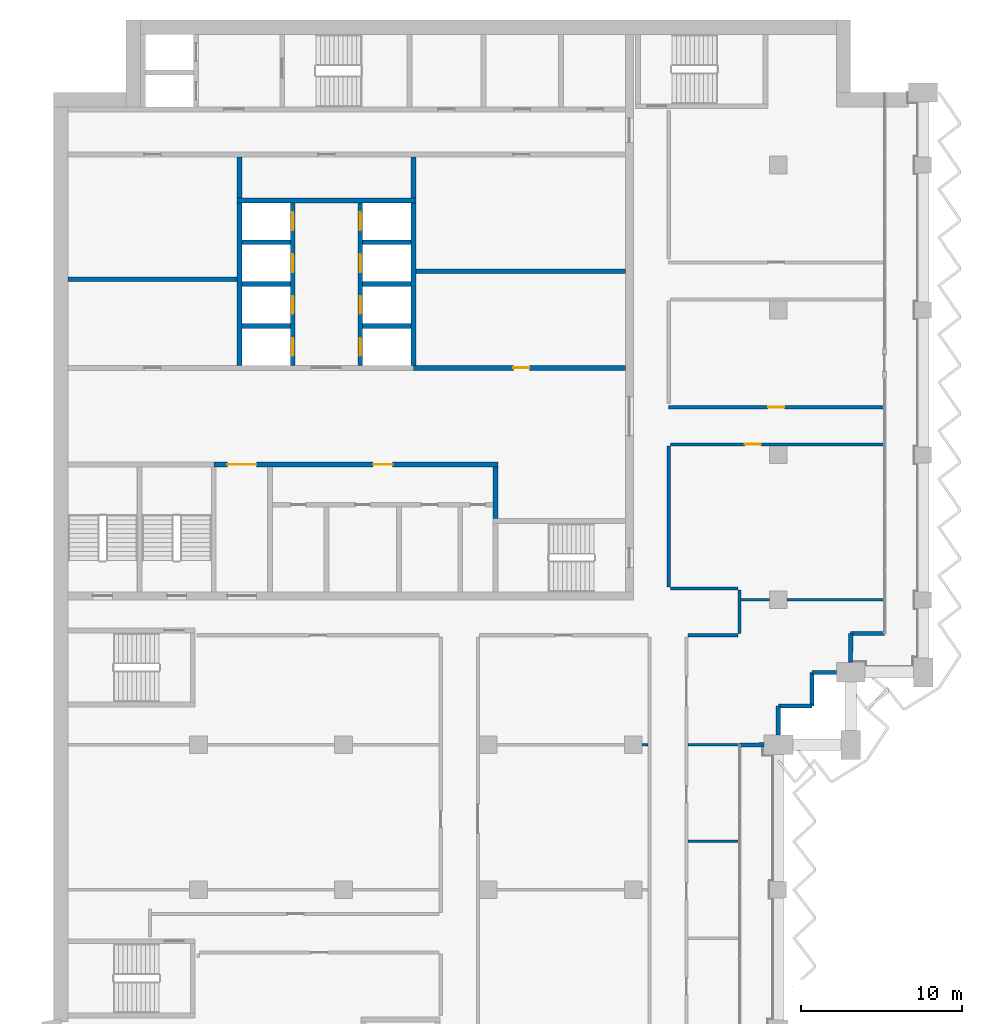
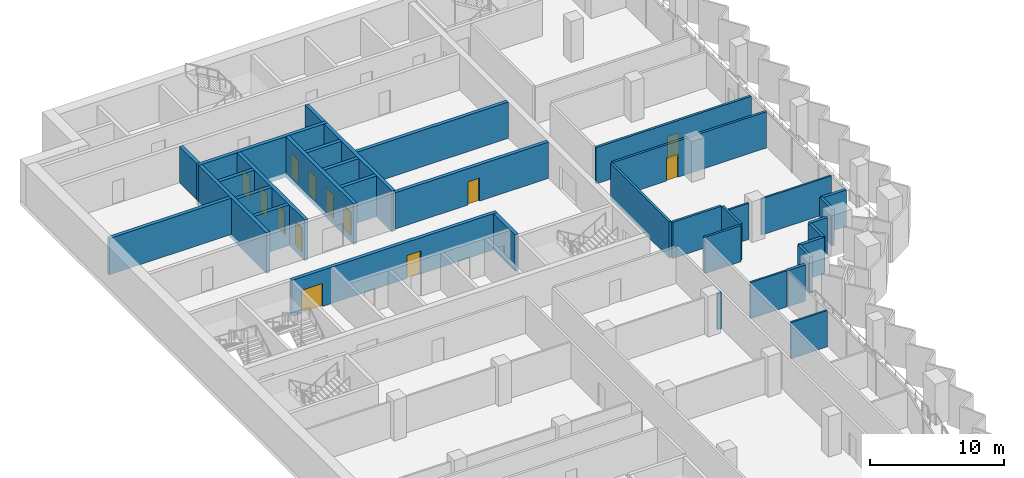
# One storey, part 9 of 17: 36 walls, 13 doors, 13 openings.
"""IFC4 building model written with IfcOpenShell, lengths in metres."""

from ifc_helpers import new_model, si_unit, direction, frame, frame_2d, origin, place, context, subcontext, project, spatial, rectangle, extrude, material, layer, layer_set, type_object, element, fill, save


model = new_model("IFC4")

# Units and contexts
model_context = context("Model", 3, precision=1e-05, world=origin(), true_north=direction((0.0, 1.0)))
body_context = subcontext(model_context, "Body", "Model", "MODEL_VIEW")
ifc_project = project(units=[si_unit("LENGTHUNIT", "METRE"), si_unit("AREAUNIT", "SQUARE_METRE"), si_unit("VOLUMEUNIT", "CUBIC_METRE"), si_unit("PLANEANGLEUNIT", "RADIAN"), si_unit("MASSUNIT", "GRAM", prefix="KILO")], contexts=[model_context])

# Site, building, storey
site_placement = place(None, origin())
site = spatial("IfcSite", under=ifc_project, at=site_placement, CompositionType="ELEMENT")
building_placement = place(site_placement, origin())
building = spatial("IfcBuilding", under=site, at=building_placement, Name="Hunhe Ridgeline Campus", CompositionType="ELEMENT")
storey_placement = place(building_placement, frame((0.0, 0.0, 193.89990234375)))
storey = spatial("IfcBuildingStorey", under=building, at=storey_placement, Name="L49", CompositionType="ELEMENT", Elevation=193.89990234375)

# Wall, openings, doors
ifc_material_1 = material(Name="Masonry concrete blockwork", Category="masonry")
ifc_layer_1 = layer(ifc_material_1, 0.300048828125)
ifc_layer_set_1 = layer_set([ifc_layer_1], Name="Core room partition 300 concrete block")
wall_type_1 = type_object("IfcWallType", Name="Core room partition 300 concrete block", PredefinedType="PARTITIONING", material=ifc_layer_set_1)
wall_1_placement = place(storey_placement, frame((9.949951171875, 71.39990234375, 0.0), z_axis=(0.0, 0.0, 1.0), x_axis=(1.0, 0.0, 0.0)))
wall_1 = element("IfcWall", 1, at=wall_1_placement, inside=storey, type_object=wall_type_1, Name="L49 core partition 11", PredefinedType="PARTITIONING", context=body_context, shape_type="SweptSolid", body=[
    extrude(rectangle(XDim=17.650146484375, YDim=0.300048828125, at=frame_2d((8.8251953125, 0.0))), origin(), (0.0, 0.0, 1.0), 3.300048828125),
])
opening_1_placement = place(wall_1_placement, frame((0.85009765625, 0.0, 0.0)))
opening_1 = element("IfcOpeningElement", 2, at=opening_1_placement, cuts=wall_1, Name="Opening CD7", PredefinedType="OPENING", context=body_context, shape_type="SweptSolid", body=[
    extrude(rectangle(XDim=1.800048828125, YDim=2.10009765625, at=frame_2d((0.89990234375, 1.050048828125))), frame((0.0, 0.14990234375, 0.0), z_axis=(0.0, -1.0, 0.0), x_axis=(1.0, 0.0, 0.0)), (0.0, 0.0, 1.0), 0.300048828125),
])
opening_2_placement = place(wall_1_placement, frame((9.89990234375, 0.0, 0.0)))
opening_2 = element("IfcOpeningElement", 3, at=opening_2_placement, cuts=wall_1, Name="Opening CD12", PredefinedType="OPENING", context=body_context, shape_type="SweptSolid", body=[
    extrude(rectangle(XDim=1.199951171875, YDim=2.10009765625, at=frame_2d((0.60009765625, 1.050048828125))), frame((0.0, 0.14990234375, 0.0), z_axis=(0.0, -1.0, 0.0), x_axis=(1.0, 0.0, 0.0)), (0.0, 0.0, 1.0), 0.300048828125),
])
ifc_material_2 = material(Name="Anodised aluminium and glass", Category="aluminium")
door_type_1 = type_object("IfcDoorType", Name="Glazed double door 1800x2100", OperationType="DOUBLE_DOOR_SINGLE_SWING", PredefinedType="DOOR", material=ifc_material_2)
door_1_placement = place(opening_1_placement, origin())
door_1 = element("IfcDoor", 4, at=door_1_placement, inside=storey, type_object=door_type_1, Name="L49 door VEST-HALL", OperationType="DOUBLE_DOOR_SINGLE_SWING", OverallHeight=2.10009765625, OverallWidth=1.800048828125, PredefinedType="DOOR", context=body_context, shape_type="SweptSolid", body=[
    extrude(rectangle(XDim=1.800048828125, YDim=2.10009765625, at=frame_2d((0.89990234375, 1.050048828125))), frame((0.0, 0.02490234375, 0.0), z_axis=(0.0, -1.0, 0.0), x_axis=(1.0, 0.0, 0.0)), (0.0, 0.0, 1.0), 0.050048828125),
])
fill(opening_1, door_1)
ifc_material_3 = material(Name="Solid core timber door leaf", Category="wood")
door_type_2 = type_object("IfcDoorType", Name="Timber door 1200x2100", OperationType="SINGLE_SWING_LEFT", PredefinedType="DOOR", material=ifc_material_3)
door_2_placement = place(opening_2_placement, origin())
door_2 = element("IfcDoor", 5, at=door_2_placement, inside=storey, type_object=door_type_2, Name="L49 door WCL2-HALL", OperationType="SINGLE_SWING_RIGHT", OverallHeight=2.10009765625, OverallWidth=1.199951171875, PredefinedType="DOOR", context=body_context, shape_type="SweptSolid", body=[
    extrude(rectangle(XDim=1.199951171875, YDim=2.10009765625, at=frame_2d((0.60009765625, 1.050048828125))), frame((0.0, 0.02490234375, 0.0), z_axis=(0.0, -1.0, 0.0), x_axis=(1.0, 0.0, 0.0)), (0.0, 0.0, 1.0), 0.050048828125),
])
fill(opening_2, door_2)

# Wall, opening, door
wall_2_placement = place(storey_placement, frame((22.35009765625, 77.39990234375, 0.0), z_axis=(0.0, 0.0, 1.0), x_axis=(1.0, 0.0, 0.0)))
wall_2 = element("IfcWall", 6, at=wall_2_placement, inside=storey, type_object=wall_type_1, Name="L49 core partition 13", PredefinedType="PARTITIONING", context=body_context, shape_type="SweptSolid", body=[
    extrude(rectangle(XDim=13.14990234375, YDim=0.300048828125, at=frame_2d((6.574951171875, 0.0))), origin(), (0.0, 0.0, 1.0), 3.300048828125),
])
opening_3_placement = place(wall_2_placement, frame((6.199951171875, 0.0, 0.0)))
opening_3 = element("IfcOpeningElement", 7, at=opening_3_placement, cuts=wall_2, Name="Opening CD32", PredefinedType="OPENING", context=body_context, shape_type="SweptSolid", body=[
    extrude(rectangle(XDim=1.0, YDim=2.10009765625, at=frame_2d((0.5, 1.050048828125))), frame((0.0, 0.14990234375, 0.0), z_axis=(0.0, -1.0, 0.0), x_axis=(1.0, 0.0, 0.0)), (0.0, 0.0, 1.0), 0.300048828125),
])
door_type_3 = type_object("IfcDoorType", Name="Timber door 1000x2100", OperationType="SINGLE_SWING_LEFT", PredefinedType="DOOR", material=ifc_material_3)
door_3_placement = place(opening_3_placement, origin())
door_3 = element("IfcDoor", 8, at=door_3_placement, inside=storey, type_object=door_type_3, Name="L49 door ES0", OperationType="SINGLE_SWING_RIGHT", OverallHeight=2.10009765625, OverallWidth=1.0, PredefinedType="DOOR", context=body_context, shape_type="SweptSolid", body=[
    extrude(rectangle(XDim=1.0, YDim=2.10009765625, at=frame_2d((0.5, 1.050048828125))), frame((0.0, 0.02490234375, 0.0), z_axis=(0.0, -1.0, 0.0), x_axis=(1.0, 0.0, 0.0)), (0.0, 0.0, 1.0), 0.050048828125),
])
fill(opening_3, door_3)

# Walls
wall_3_placement = place(storey_placement, frame((0.89990234375, 82.89990234375, 0.0), z_axis=(0.0, 0.0, 1.0), x_axis=(1.0, 0.0, 0.0)))
element("IfcWall", 9, at=wall_3_placement, inside=storey, type_object=wall_type_1, Name="L49 core partition 18", PredefinedType="PARTITIONING", context=body_context, shape_type="SweptSolid", body=[
    extrude(rectangle(XDim=10.5, YDim=0.300048828125, at=frame_2d((5.25, 0.0))), origin(), (0.0, 0.0, 1.0), 3.300048828125),
])
wall_4_placement = place(storey_placement, frame((22.5, 83.39990234375, 0.0), z_axis=(0.0, 0.0, 1.0), x_axis=(1.0, 0.0, 0.0)))
element("IfcWall", 10, at=wall_4_placement, inside=storey, type_object=wall_type_1, Name="L49 core partition 19", PredefinedType="PARTITIONING", context=body_context, shape_type="SweptSolid", body=[
    extrude(rectangle(XDim=13.0, YDim=0.300048828125, at=frame_2d((6.5, 0.0))), origin(), (0.0, 0.0, 1.0), 3.300048828125),
])
for number, where, z_axis, x_axis, name in (
    (11, (11.550048828125, 87.949951171875, 0.0), (0.0, 0.0, 1.0), (0.0, 1.0, 0.0), "L49 core partition 34"),
    (12, (22.35009765625, 87.949951171875, 0.0), (0.0, 0.0, 1.0), (0.0, 1.0, 0.0), "L49 core partition 44"),
):
    element("IfcWall", number, at=place(storey_placement, frame(where, z_axis=z_axis, x_axis=x_axis)), inside=storey, type_object=wall_type_1, Name=name, PredefinedType="PARTITIONING", context=body_context, shape_type="SweptSolid", body=[
        extrude(rectangle(XDim=2.550048828125, YDim=0.300048828125, at=frame_2d((1.27490234375, 0.0))), origin(), (0.0, 0.0, 1.0), 3.300048828125),
    ])
wall_5_placement = place(storey_placement, frame((27.449951171875, 68.050048828125, 0.0), z_axis=(0.0, 0.0, 1.0), x_axis=(0.0, 1.0, 0.0)))
element("IfcWall", 13, at=wall_5_placement, inside=storey, type_object=wall_type_1, Name="L49 core partition 49", PredefinedType="PARTITIONING", context=body_context, shape_type="SweptSolid", body=[
    extrude(rectangle(XDim=3.199951171875, YDim=0.300048828125, at=frame_2d((1.60009765625, 0.0))), origin(), (0.0, 0.0, 1.0), 3.300048828125),
])
ifc_material_4 = material(Name="Concrete C30", Category="concrete")
ifc_layer_2 = layer(ifc_material_4, 0.25)
ifc_layer_set_2 = layer_set([ifc_layer_2], Name="Corner return wall 250 Concrete C30")
wall_type_2 = type_object("IfcWallType", Name="Corner return wall 250 Concrete C30", PredefinedType="SOLIDWALL", material=ifc_layer_set_2)
wall_6_placement = place(storey_placement, frame((42.59912109375, 54.00048828125, 0.0), z_axis=(0.0, 0.0, 1.0), x_axis=(0.999999986772, 0.00016265452, 0.0)))
element("IfcWall", 14, at=wall_6_placement, inside=storey, type_object=wall_type_2, Name="Corner return wall 2", PredefinedType="SOLIDWALL", context=body_context, shape_type="SweptSolid", body=[
    extrude(rectangle(XDim=1.5009765625, YDim=0.25, at=frame_2d((0.75048828125, 0.0))), origin(), (0.0, 0.0, 1.0), 3.300048828125),
])
wall_7_placement = place(storey_placement, frame((44.9990234375, 54.60009765625, 0.0), z_axis=(0.0, 0.0, 1.0), x_axis=(0.000135593219, 0.999999990807, 0.0)))
element("IfcWall", 15, at=wall_7_placement, inside=storey, type_object=wall_type_2, Name="Corner return wall 3", PredefinedType="SOLIDWALL", context=body_context, shape_type="SweptSolid", body=[
    extrude(rectangle(XDim=1.800537109375, YDim=0.25, at=frame_2d((0.900390625, 0.0))), origin(), (0.0, 0.0, 1.0), 3.300048828125),
])
wall_8_placement = place(storey_placement, frame((44.999267578125, 56.400634765625, 0.0), z_axis=(0.0, 0.0, 1.0), x_axis=(0.999999993241, 0.00011626555, 0.0)))
element("IfcWall", 16, at=wall_8_placement, inside=storey, type_object=wall_type_2, Name="Corner return wall 4", PredefinedType="SOLIDWALL", context=body_context, shape_type="SweptSolid", body=[
    extrude(rectangle(XDim=2.099853515625, YDim=0.25, at=frame_2d((1.0498046875, 0.0))), origin(), (0.0, 0.0, 1.0), 3.300048828125),
])
wall_9_placement = place(storey_placement, frame((47.09912109375, 56.40087890625, 0.0), z_axis=(0.0, 0.0, 1.0), x_axis=(0.000232504063, 0.999999972971, 0.0)))
element("IfcWall", 17, at=wall_9_placement, inside=storey, type_object=wall_type_2, Name="Corner return wall 5", PredefinedType="SOLIDWALL", context=body_context, shape_type="SweptSolid", body=[
    extrude(rectangle(XDim=2.10009765625, YDim=0.25, at=frame_2d((1.050048828125, 0.0))), origin(), (0.0, 0.0, 1.0), 3.300048828125),
])
wall_10_placement = place(storey_placement, frame((47.099609375, 58.5009765625, 0.0), z_axis=(0.0, 0.0, 1.0), x_axis=(1.0, 0.0, 0.0)))
element("IfcWall", 18, at=wall_10_placement, inside=storey, type_object=wall_type_2, Name="Corner return wall 6", PredefinedType="SOLIDWALL", context=body_context, shape_type="SweptSolid", body=[
    extrude(rectangle(XDim=1.50048828125, YDim=0.25, at=frame_2d((0.750244140625, 0.0))), origin(), (0.0, 0.0, 1.0), 3.300048828125),
])
wall_11_placement = place(storey_placement, frame((49.4990234375, 59.10009765625, 0.0), z_axis=(0.0, 0.0, 1.0), x_axis=(0.000271149665, 0.999999963239, 0.0)))
element("IfcWall", 19, at=wall_11_placement, inside=storey, type_object=wall_type_2, Name="Corner return wall 7", PredefinedType="SOLIDWALL", context=body_context, shape_type="SweptSolid", body=[
    extrude(rectangle(XDim=1.80078125, YDim=0.25, at=frame_2d((0.900390625, 0.0))), origin(), (0.0, 0.0, 1.0), 3.300048828125),
])
wall_12_placement = place(storey_placement, frame((49.49951171875, 60.90087890625, 0.0), z_axis=(0.0, 0.0, 1.0), x_axis=(1.0, 0.0, 0.0)))
element("IfcWall", 20, at=wall_12_placement, inside=storey, type_object=wall_type_2, Name="Corner return wall 8", PredefinedType="SOLIDWALL", context=body_context, shape_type="SweptSolid", body=[
    extrude(rectangle(XDim=2.099609375, YDim=0.25, at=frame_2d((1.0498046875, 0.0))), origin(), (0.0, 0.0, 1.0), 3.300048828125),
])
ifc_material_5 = material(Name="Gypsum board partition")
ifc_layer_3 = layer(ifc_material_5, 0.199951171875)
ifc_layer_set_3 = layer_set([ifc_layer_3], Name="Corridor partition 200 gypsum board on steel studs")
wall_type_3 = type_object("IfcWallType", Name="Corridor partition 200 gypsum board on steel studs", PredefinedType="PARTITIONING", material=ifc_layer_set_3)
wall_13_placement = place(storey_placement, frame((42.5, 60.800048828125, 0.0), z_axis=(0.0, 0.0, 1.0), x_axis=(-1.0, 0.0, 0.0)))
element("IfcWall", 21, at=wall_13_placement, inside=storey, type_object=wall_type_3, Name="F-L49-wall-028", PredefinedType="PARTITIONING", context=body_context, shape_type="SweptSolid", body=[
    extrude(rectangle(XDim=3.10009765625, YDim=0.199951171875, at=frame_2d((1.550048828125, 0.0))), origin(), (0.0, 0.0, 1.0), 3.300048828125),
])
wall_14_placement = place(storey_placement, frame((38.300048828125, 63.699951171875, 0.0), z_axis=(0.0, 0.0, 1.0), x_axis=(1.0, 0.0, 0.0)))
element("IfcWall", 22, at=wall_14_placement, inside=storey, type_object=wall_type_3, Name="F-L49-wall-031", PredefinedType="PARTITIONING", context=body_context, shape_type="SweptSolid", body=[
    extrude(rectangle(XDim=4.199951171875, YDim=0.199951171875, at=frame_2d((2.10009765625, 0.0))), origin(), (0.0, 0.0, 1.0), 3.300048828125),
])

# Wall, opening, door
wall_15_placement = place(storey_placement, frame((51.544921875, 72.64990234375, 0.0), z_axis=(0.0, 0.0, 1.0), x_axis=(-1.0, 0.0, 0.0)))
wall_15 = element("IfcWall", 23, at=wall_15_placement, inside=storey, type_object=wall_type_3, Name="F-L49-wall-032", PredefinedType="PARTITIONING", context=body_context, shape_type="SweptSolid", body=[
    extrude(rectangle(XDim=13.244873046875, YDim=0.199951171875, at=frame_2d((6.62255859375, 0.0))), origin(), (0.0, 0.0, 1.0), 3.300048828125),
])
opening_4_placement = place(wall_15_placement, frame((7.62255859375, 0.0, 0.0)))
opening_4 = element("IfcOpeningElement", 24, at=opening_4_placement, cuts=wall_15, Name="Opening RD1-016", PredefinedType="OPENING", context=body_context, shape_type="SweptSolid", body=[
    extrude(rectangle(XDim=1.0, YDim=2.10009765625, at=frame_2d((0.5, 1.050048828125))), frame((0.0, 0.10009765625, 0.0), z_axis=(0.0, -1.0, 0.0), x_axis=(1.0, 0.0, 0.0)), (0.0, 0.0, 1.0), 0.199951171875),
])
ifc_material_6 = material(Name="Timber door leaf", Category="wood")
door_type_4 = type_object("IfcDoorType", Name="Single fire door 1000x2100 timber FD60", OperationType="NOTDEFINED", PredefinedType="DOOR", material=ifc_material_6)
door_4_placement = place(opening_4_placement, origin())
door_4 = element("IfcDoor", 25, at=door_4_placement, inside=storey, type_object=door_type_4, Name="F-L49-door-016", OperationType="SINGLE_SWING_RIGHT", OverallHeight=2.10009765625, OverallWidth=1.0, PredefinedType="DOOR", context=body_context, shape_type="SweptSolid", body=[
    extrude(rectangle(XDim=1.0, YDim=2.10009765625, at=frame_2d((0.5, 1.050048828125))), frame((0.0, 0.02490234375, 0.0), z_axis=(0.0, -1.0, 0.0), x_axis=(1.0, 0.0, 0.0)), (0.0, 0.0, 1.0), 0.050048828125),
])
fill(opening_4, door_4)

wall_16_placement = place(storey_placement, frame((38.199951171875, 74.949951171875, 0.0), z_axis=(0.0, 0.0, 1.0), x_axis=(1.0, 0.0, 0.0)))
wall_16 = element("IfcWall", 26, at=wall_16_placement, inside=storey, type_object=wall_type_3, Name="F-L49-wall-033", PredefinedType="PARTITIONING", context=body_context, shape_type="SweptSolid", body=[
    extrude(rectangle(XDim=13.344970703125, YDim=0.199951171875, at=frame_2d((6.67236328125, 0.0))), origin(), (0.0, 0.0, 1.0), 3.300048828125),
])
opening_5_placement = place(wall_16_placement, frame((6.172607421875, 0.0, 0.0)))
opening_5 = element("IfcOpeningElement", 27, at=opening_5_placement, cuts=wall_16, Name="Opening RD1-017", PredefinedType="OPENING", context=body_context, shape_type="SweptSolid", body=[
    extrude(rectangle(XDim=1.0, YDim=2.10009765625, at=frame_2d((0.5, 1.050048828125))), frame((0.0, 0.10009765625, 0.0), z_axis=(0.0, -1.0, 0.0), x_axis=(1.0, 0.0, 0.0)), (0.0, 0.0, 1.0), 0.199951171875),
])
door_5_placement = place(opening_5_placement, origin())
door_5 = element("IfcDoor", 28, at=door_5_placement, inside=storey, type_object=door_type_4, Name="F-L49-door-017", OperationType="SINGLE_SWING_LEFT", OverallHeight=2.10009765625, OverallWidth=1.0, PredefinedType="DOOR", context=body_context, shape_type="SweptSolid", body=[
    extrude(rectangle(XDim=1.0, YDim=2.10009765625, at=frame_2d((0.5, 1.050048828125))), frame((0.0, 0.02490234375, 0.0), z_axis=(0.0, -1.0, 0.0), x_axis=(1.0, 0.0, 0.0)), (0.0, 0.0, 1.0), 0.050048828125),
])
fill(opening_5, door_5)

# Walls
wall_17_placement = place(storey_placement, frame((38.199951171875, 72.550048828125, 0.0), z_axis=(0.0, 0.0, 1.0), x_axis=(0.0, -1.0, 0.0)))
element("IfcWall", 29, at=wall_17_placement, inside=storey, type_object=wall_type_3, Name="F-L49-wall-044", PredefinedType="PARTITIONING", context=body_context, shape_type="SweptSolid", body=[
    extrude(rectangle(XDim=8.75, YDim=0.199951171875, at=frame_2d((4.375, 0.0))), origin(), (0.0, 0.0, 1.0), 3.300048828125),
])
wall_18_placement = place(storey_placement, frame((42.60009765625, 63.60009765625, 0.0), z_axis=(0.0, 0.0, 1.0), x_axis=(0.0, -1.0, 0.0)))
element("IfcWall", 30, at=wall_18_placement, inside=storey, type_object=wall_type_3, Name="F-L49-wall-048", PredefinedType="PARTITIONING", context=body_context, shape_type="SweptSolid", body=[
    extrude(rectangle(XDim=2.7001953125, YDim=0.199951171875, at=frame_2d((1.35009765625, 0.0))), origin(), (0.0, 0.0, 1.0), 3.300048828125),
])
ifc_layer_4 = layer(ifc_material_5, 0.14990234375)
ifc_layer_set_4 = layer_set([ifc_layer_4], Name="Room partition 150 gypsum board on steel studs")
wall_type_4 = type_object("IfcWallType", Name="Room partition 150 gypsum board on steel studs", PredefinedType="PARTITIONING", material=ifc_layer_set_4)
wall_19_placement = place(storey_placement, frame((39.39990234375, 48.0, 0.0), z_axis=(0.0, 0.0, 1.0), x_axis=(1.0, 0.0, 0.0)))
element("IfcWall", 31, at=wall_19_placement, inside=storey, type_object=wall_type_4, Name="F-L49-wall-019", PredefinedType="PARTITIONING", context=body_context, shape_type="SweptSolid", body=[
    extrude(rectangle(XDim=3.145263671875, YDim=0.14990234375, at=frame_2d((1.57275390625, 0.0))), origin(), (0.0, 0.0, 1.0), 3.300048828125),
])
wall_20_placement = place(storey_placement, frame((36.550048828125, 54.0, 0.0), z_axis=(0.0, 0.0, 1.0), x_axis=(1.0, 0.0, 0.0)))
element("IfcWall", 32, at=wall_20_placement, inside=storey, type_object=wall_type_4, Name="F-L49-wall-024", PredefinedType="PARTITIONING", context=body_context, shape_type="SweptSolid", body=[
    extrude(rectangle(XDim=0.349853515625, YDim=0.14990234375, at=frame_2d((0.1748046875, 0.0))), origin(), (0.0, 0.0, 1.0), 3.300048828125),
])
wall_21_placement = place(storey_placement, frame((39.39990234375, 54.0, 0.0), z_axis=(0.0, 0.0, 1.0), x_axis=(1.0, 0.0, 0.0)))
element("IfcWall", 33, at=wall_21_placement, inside=storey, type_object=wall_type_4, Name="F-L49-wall-025", PredefinedType="PARTITIONING", context=body_context, shape_type="SweptSolid", body=[
    extrude(rectangle(XDim=3.145263671875, YDim=0.14990234375, at=frame_2d((1.57275390625, 0.0))), origin(), (0.0, 0.0, 1.0), 3.300048828125),
])
wall_22_placement = place(storey_placement, frame((42.699951171875, 63.0, 0.0), z_axis=(0.0, 0.0, 1.0), x_axis=(1.0, 0.0, 0.0)))
element("IfcWall", 34, at=wall_22_placement, inside=storey, type_object=wall_type_4, Name="F-L49-wall-029", PredefinedType="PARTITIONING", context=body_context, shape_type="SweptSolid", body=[
    extrude(rectangle(XDim=1.75, YDim=0.14990234375, at=frame_2d((0.875, 0.0))), origin(), (0.0, 0.0, 1.0), 3.300048828125),
])
wall_23_placement = place(storey_placement, frame((45.550048828125, 63.0, 0.0), z_axis=(0.0, 0.0, 1.0), x_axis=(1.0, 0.0, 0.0)))
element("IfcWall", 35, at=wall_23_placement, inside=storey, type_object=wall_type_4, Name="F-L49-wall-030", PredefinedType="PARTITIONING", context=body_context, shape_type="SweptSolid", body=[
    extrude(rectangle(XDim=5.994873046875, YDim=0.14990234375, at=frame_2d((2.99755859375, 0.0))), origin(), (0.0, 0.0, 1.0), 3.300048828125),
])
ifc_material_7 = material(Name="Concrete C60", Category="concrete")
ifc_layer_5 = layer(ifc_material_7, 0.300048828125)
ifc_layer_set_5 = layer_set([ifc_layer_5], Name="Shaft wall 300 reinforced concrete C60")
wall_type_5 = type_object("IfcWallType", Name="Shaft wall 300 reinforced concrete C60", PredefinedType="SOLIDWALL", material=ifc_layer_set_5)
for number, where, z_axis, x_axis, name in (
    (36, (11.699951171875, 80.0, -0.39990234375), (0.0, 0.0, 1.0), (1.0, 0.0, 0.0), "L49 core wall 14"),
    (37, (19.199951171875, 80.0, -0.39990234375), (0.0, 0.0, 1.0), (1.0, 0.0, 0.0), "L49 core wall 15"),
    (38, (11.699951171875, 82.60009765625, -0.39990234375), (0.0, 0.0, 1.0), (1.0, 0.0, 0.0), "L49 core wall 16"),
    (39, (19.199951171875, 82.60009765625, -0.39990234375), (0.0, 0.0, 1.0), (1.0, 0.0, 0.0), "L49 core wall 17"),
    (40, (11.699951171875, 85.199951171875, -0.39990234375), (0.0, 0.0, 1.0), (1.0, 0.0, 0.0), "L49 core wall 20"),
    (41, (19.199951171875, 85.199951171875, -0.39990234375), (0.0, 0.0, 1.0), (1.0, 0.0, 0.0), "L49 core wall 21"),
):
    element("IfcWall", number, at=place(storey_placement, frame(where, z_axis=z_axis, x_axis=x_axis)), inside=storey, type_object=wall_type_5, Name=name, PredefinedType="SOLIDWALL", context=body_context, shape_type="SweptSolid", body=[
        extrude(rectangle(XDim=3.0, YDim=0.300048828125, at=frame_2d((1.5, 0.0))), origin(), (0.0, 0.0, 1.0), 3.699951171875),
    ])
wall_24_placement = place(storey_placement, frame((11.39990234375, 87.800048828125, -0.39990234375), z_axis=(0.0, 0.0, 1.0), x_axis=(1.0, 0.0, 0.0)))
element("IfcWall", 42, at=wall_24_placement, inside=storey, type_object=wall_type_5, Name="L49 core wall 22", PredefinedType="SOLIDWALL", context=body_context, shape_type="SweptSolid", body=[
    extrude(rectangle(XDim=11.10009765625, YDim=0.300048828125, at=frame_2d((5.550048828125, 0.0))), origin(), (0.0, 0.0, 1.0), 3.699951171875),
])
wall_25_placement = place(storey_placement, frame((11.550048828125, 77.550048828125, -0.39990234375), z_axis=(0.0, 0.0, 1.0), x_axis=(0.0, 1.0, 0.0)))
element("IfcWall", 43, at=wall_25_placement, inside=storey, type_object=wall_type_5, Name="L49 core wall 33", PredefinedType="SOLIDWALL", context=body_context, shape_type="SweptSolid", body=[
    extrude(rectangle(XDim=10.099853515625, YDim=0.300048828125, at=frame_2d((5.0498046875, 0.0))), origin(), (0.0, 0.0, 1.0), 3.699951171875),
])

# Wall, openings, doors
wall_26_placement = place(storey_placement, frame((14.85009765625, 77.550048828125, -0.39990234375), z_axis=(0.0, 0.0, 1.0), x_axis=(0.0, 1.0, 0.0)))
wall_26 = element("IfcWall", 44, at=wall_26_placement, inside=storey, type_object=wall_type_5, Name="L49 core wall 37", PredefinedType="SOLIDWALL", context=body_context, shape_type="SweptSolid", body=[
    extrude(rectangle(XDim=10.099853515625, YDim=0.300048828125, at=frame_2d((5.0498046875, 0.0))), origin(), (0.0, 0.0, 1.0), 3.699951171875),
])
opening_6_placement = place(wall_26_placement, frame((0.60009765625, 0.0, 0.39990234375)))
opening_6 = element("IfcOpeningElement", 45, at=opening_6_placement, cuts=wall_26, Name="Opening LD-HR1", PredefinedType="OPENING", context=body_context, shape_type="SweptSolid", body=[
    extrude(rectangle(XDim=1.10009765625, YDim=2.10009765625, at=frame_2d((0.550048828125, 1.050048828125))), frame((0.0, 0.14990234375, 0.0), z_axis=(0.0, -1.0, 0.0), x_axis=(1.0, 0.0, 0.0)), (0.0, 0.0, 1.0), 0.300048828125),
])
opening_7_placement = place(wall_26_placement, frame((3.199951171875, 0.0, 0.39990234375)))
opening_7 = element("IfcOpeningElement", 46, at=opening_7_placement, cuts=wall_26, Name="Opening LD-HR2", PredefinedType="OPENING", context=body_context, shape_type="SweptSolid", body=[
    extrude(rectangle(XDim=1.10009765625, YDim=2.10009765625, at=frame_2d((0.550048828125, 1.050048828125))), frame((0.0, 0.14990234375, 0.0), z_axis=(0.0, -1.0, 0.0), x_axis=(1.0, 0.0, 0.0)), (0.0, 0.0, 1.0), 0.300048828125),
])
opening_8_placement = place(wall_26_placement, frame((5.800048828125, 0.0, 0.39990234375)))
opening_8 = element("IfcOpeningElement", 47, at=opening_8_placement, cuts=wall_26, Name="Opening LD-HR3", PredefinedType="OPENING", context=body_context, shape_type="SweptSolid", body=[
    extrude(rectangle(XDim=1.10009765625, YDim=2.10009765625, at=frame_2d((0.550048828125, 1.050048828125))), frame((0.0, 0.14990234375, 0.0), z_axis=(0.0, -1.0, 0.0), x_axis=(1.0, 0.0, 0.0)), (0.0, 0.0, 1.0), 0.300048828125),
])
opening_9_placement = place(wall_26_placement, frame((8.39990234375, 0.0, 0.39990234375)))
opening_9 = element("IfcOpeningElement", 48, at=opening_9_placement, cuts=wall_26, Name="Opening LD-HR4", PredefinedType="OPENING", context=body_context, shape_type="SweptSolid", body=[
    extrude(rectangle(XDim=1.10009765625, YDim=2.10009765625, at=frame_2d((0.550048828125, 1.050048828125))), frame((0.0, 0.14990234375, 0.0), z_axis=(0.0, -1.0, 0.0), x_axis=(1.0, 0.0, 0.0)), (0.0, 0.0, 1.0), 0.300048828125),
])
ifc_material_8 = material(Name="Stainless steel sliding leaves", Category="steel")
door_type_5 = type_object("IfcDoorType", Name="Landing door 1100x2100 FD120", OperationType="SLIDING_TO_LEFT", PredefinedType="DOOR", material=ifc_material_8)
door_6_placement = place(opening_6_placement, origin())
door_6 = element("IfcDoor", 49, at=door_6_placement, inside=storey, type_object=door_type_5, Name="L49 landing door HR1", OperationType="SLIDING_TO_RIGHT", OverallHeight=2.10009765625, OverallWidth=1.10009765625, PredefinedType="DOOR", context=body_context, shape_type="SweptSolid", body=[
    extrude(rectangle(XDim=1.10009765625, YDim=2.10009765625, at=frame_2d((0.550048828125, 1.050048828125))), frame((0.0, 0.02490234375, 0.0), z_axis=(0.0, -1.0, 0.0), x_axis=(1.0, 0.0, 0.0)), (0.0, 0.0, 1.0), 0.050048828125),
])
fill(opening_6, door_6)
door_7_placement = place(opening_7_placement, origin())
door_7 = element("IfcDoor", 50, at=door_7_placement, inside=storey, type_object=door_type_5, Name="L49 landing door HR2", OperationType="SLIDING_TO_LEFT", OverallHeight=2.10009765625, OverallWidth=1.10009765625, PredefinedType="DOOR", context=body_context, shape_type="SweptSolid", body=[
    extrude(rectangle(XDim=1.10009765625, YDim=2.10009765625, at=frame_2d((0.550048828125, 1.050048828125))), frame((0.0, 0.02490234375, 0.0), z_axis=(0.0, -1.0, 0.0), x_axis=(1.0, 0.0, 0.0)), (0.0, 0.0, 1.0), 0.050048828125),
])
fill(opening_7, door_7)
door_8_placement = place(opening_8_placement, origin())
door_8 = element("IfcDoor", 51, at=door_8_placement, inside=storey, type_object=door_type_5, Name="L49 landing door HR3", OperationType="SLIDING_TO_RIGHT", OverallHeight=2.10009765625, OverallWidth=1.10009765625, PredefinedType="DOOR", context=body_context, shape_type="SweptSolid", body=[
    extrude(rectangle(XDim=1.10009765625, YDim=2.10009765625, at=frame_2d((0.550048828125, 1.050048828125))), frame((0.0, 0.02490234375, 0.0), z_axis=(0.0, -1.0, 0.0), x_axis=(1.0, 0.0, 0.0)), (0.0, 0.0, 1.0), 0.050048828125),
])
fill(opening_8, door_8)
door_9_placement = place(opening_9_placement, origin())
door_9 = element("IfcDoor", 52, at=door_9_placement, inside=storey, type_object=door_type_5, Name="L49 landing door HR4", OperationType="SLIDING_TO_LEFT", OverallHeight=2.10009765625, OverallWidth=1.10009765625, PredefinedType="DOOR", context=body_context, shape_type="SweptSolid", body=[
    extrude(rectangle(XDim=1.10009765625, YDim=2.10009765625, at=frame_2d((0.550048828125, 1.050048828125))), frame((0.0, 0.02490234375, 0.0), z_axis=(0.0, -1.0, 0.0), x_axis=(1.0, 0.0, 0.0)), (0.0, 0.0, 1.0), 0.050048828125),
])
fill(opening_9, door_9)

wall_27_placement = place(storey_placement, frame((19.050048828125, 77.550048828125, -0.39990234375), z_axis=(0.0, 0.0, 1.0), x_axis=(0.0, 1.0, 0.0)))
wall_27 = element("IfcWall", 53, at=wall_27_placement, inside=storey, type_object=wall_type_5, Name="L49 core wall 39", PredefinedType="SOLIDWALL", context=body_context, shape_type="SweptSolid", body=[
    extrude(rectangle(XDim=10.099853515625, YDim=0.300048828125, at=frame_2d((5.0498046875, 0.0))), origin(), (0.0, 0.0, 1.0), 3.699951171875),
])
opening_10_placement = place(wall_27_placement, frame((0.60009765625, 0.0, 0.39990234375)))
opening_10 = element("IfcOpeningElement", 54, at=opening_10_placement, cuts=wall_27, Name="Opening LD-HR5", PredefinedType="OPENING", context=body_context, shape_type="SweptSolid", body=[
    extrude(rectangle(XDim=1.10009765625, YDim=2.10009765625, at=frame_2d((0.550048828125, 1.050048828125))), frame((0.0, 0.14990234375, 0.0), z_axis=(0.0, -1.0, 0.0), x_axis=(1.0, 0.0, 0.0)), (0.0, 0.0, 1.0), 0.300048828125),
])
opening_11_placement = place(wall_27_placement, frame((3.199951171875, 0.0, 0.39990234375)))
opening_11 = element("IfcOpeningElement", 55, at=opening_11_placement, cuts=wall_27, Name="Opening LD-HR6", PredefinedType="OPENING", context=body_context, shape_type="SweptSolid", body=[
    extrude(rectangle(XDim=1.10009765625, YDim=2.10009765625, at=frame_2d((0.550048828125, 1.050048828125))), frame((0.0, 0.14990234375, 0.0), z_axis=(0.0, -1.0, 0.0), x_axis=(1.0, 0.0, 0.0)), (0.0, 0.0, 1.0), 0.300048828125),
])
opening_12_placement = place(wall_27_placement, frame((5.800048828125, 0.0, 0.39990234375)))
opening_12 = element("IfcOpeningElement", 56, at=opening_12_placement, cuts=wall_27, Name="Opening LD-HR7", PredefinedType="OPENING", context=body_context, shape_type="SweptSolid", body=[
    extrude(rectangle(XDim=1.10009765625, YDim=2.10009765625, at=frame_2d((0.550048828125, 1.050048828125))), frame((0.0, 0.14990234375, 0.0), z_axis=(0.0, -1.0, 0.0), x_axis=(1.0, 0.0, 0.0)), (0.0, 0.0, 1.0), 0.300048828125),
])
opening_13_placement = place(wall_27_placement, frame((8.39990234375, 0.0, 0.39990234375)))
opening_13 = element("IfcOpeningElement", 57, at=opening_13_placement, cuts=wall_27, Name="Opening LD-HR8", PredefinedType="OPENING", context=body_context, shape_type="SweptSolid", body=[
    extrude(rectangle(XDim=1.10009765625, YDim=2.10009765625, at=frame_2d((0.550048828125, 1.050048828125))), frame((0.0, 0.14990234375, 0.0), z_axis=(0.0, -1.0, 0.0), x_axis=(1.0, 0.0, 0.0)), (0.0, 0.0, 1.0), 0.300048828125),
])
door_10_placement = place(opening_10_placement, origin())
door_10 = element("IfcDoor", 58, at=door_10_placement, inside=storey, type_object=door_type_5, Name="L49 landing door HR5", OperationType="SLIDING_TO_RIGHT", OverallHeight=2.10009765625, OverallWidth=1.10009765625, PredefinedType="DOOR", context=body_context, shape_type="SweptSolid", body=[
    extrude(rectangle(XDim=1.10009765625, YDim=2.10009765625, at=frame_2d((0.550048828125, 1.050048828125))), frame((0.0, 0.02490234375, 0.0), z_axis=(0.0, -1.0, 0.0), x_axis=(1.0, 0.0, 0.0)), (0.0, 0.0, 1.0), 0.050048828125),
])
fill(opening_10, door_10)
door_11_placement = place(opening_11_placement, origin())
door_11 = element("IfcDoor", 59, at=door_11_placement, inside=storey, type_object=door_type_5, Name="L49 landing door HR6", OperationType="SLIDING_TO_LEFT", OverallHeight=2.10009765625, OverallWidth=1.10009765625, PredefinedType="DOOR", context=body_context, shape_type="SweptSolid", body=[
    extrude(rectangle(XDim=1.10009765625, YDim=2.10009765625, at=frame_2d((0.550048828125, 1.050048828125))), frame((0.0, 0.02490234375, 0.0), z_axis=(0.0, -1.0, 0.0), x_axis=(1.0, 0.0, 0.0)), (0.0, 0.0, 1.0), 0.050048828125),
])
fill(opening_11, door_11)
door_12_placement = place(opening_12_placement, origin())
door_12 = element("IfcDoor", 60, at=door_12_placement, inside=storey, type_object=door_type_5, Name="L49 landing door HR7", OperationType="SLIDING_TO_RIGHT", OverallHeight=2.10009765625, OverallWidth=1.10009765625, PredefinedType="DOOR", context=body_context, shape_type="SweptSolid", body=[
    extrude(rectangle(XDim=1.10009765625, YDim=2.10009765625, at=frame_2d((0.550048828125, 1.050048828125))), frame((0.0, 0.02490234375, 0.0), z_axis=(0.0, -1.0, 0.0), x_axis=(1.0, 0.0, 0.0)), (0.0, 0.0, 1.0), 0.050048828125),
])
fill(opening_12, door_12)
door_13_placement = place(opening_13_placement, origin())
door_13 = element("IfcDoor", 61, at=door_13_placement, inside=storey, type_object=door_type_5, Name="L49 landing door HR8", OperationType="SLIDING_TO_LEFT", OverallHeight=2.10009765625, OverallWidth=1.10009765625, PredefinedType="DOOR", context=body_context, shape_type="SweptSolid", body=[
    extrude(rectangle(XDim=1.10009765625, YDim=2.10009765625, at=frame_2d((0.550048828125, 1.050048828125))), frame((0.0, 0.02490234375, 0.0), z_axis=(0.0, -1.0, 0.0), x_axis=(1.0, 0.0, 0.0)), (0.0, 0.0, 1.0), 0.050048828125),
])
fill(opening_13, door_13)

# Wall
wall_28_placement = place(storey_placement, frame((22.35009765625, 77.550048828125, -0.39990234375), z_axis=(0.0, 0.0, 1.0), x_axis=(0.0, 1.0, 0.0)))
element("IfcWall", 62, at=wall_28_placement, inside=storey, type_object=wall_type_5, Name="L49 core wall 43", PredefinedType="SOLIDWALL", context=body_context, shape_type="SweptSolid", body=[
    extrude(rectangle(XDim=10.099853515625, YDim=0.300048828125, at=frame_2d((5.0498046875, 0.0))), origin(), (0.0, 0.0, 1.0), 3.699951171875),
])

save(model, "model.ifc")
